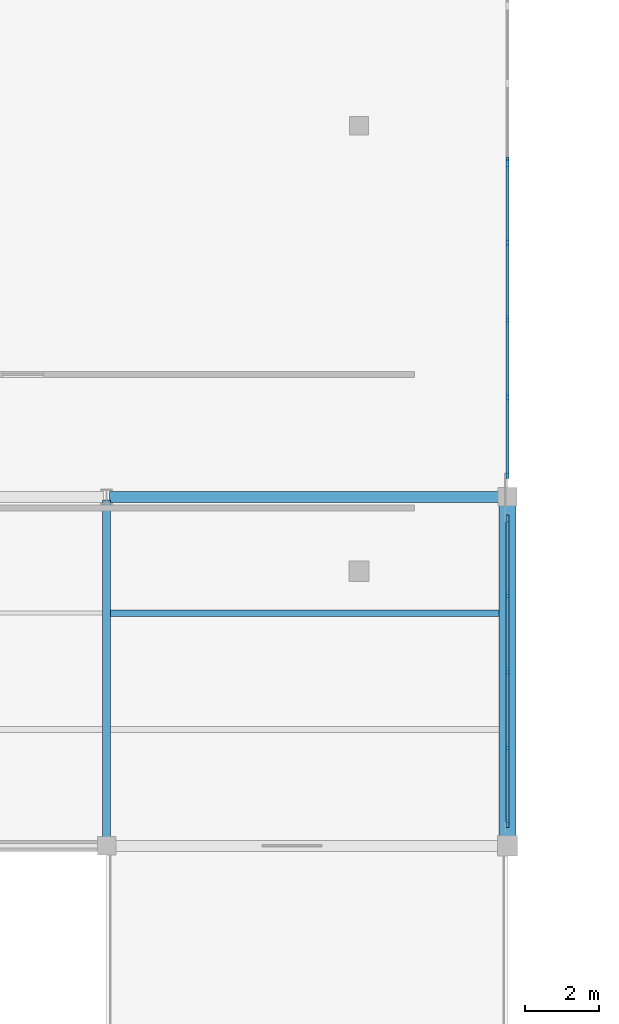
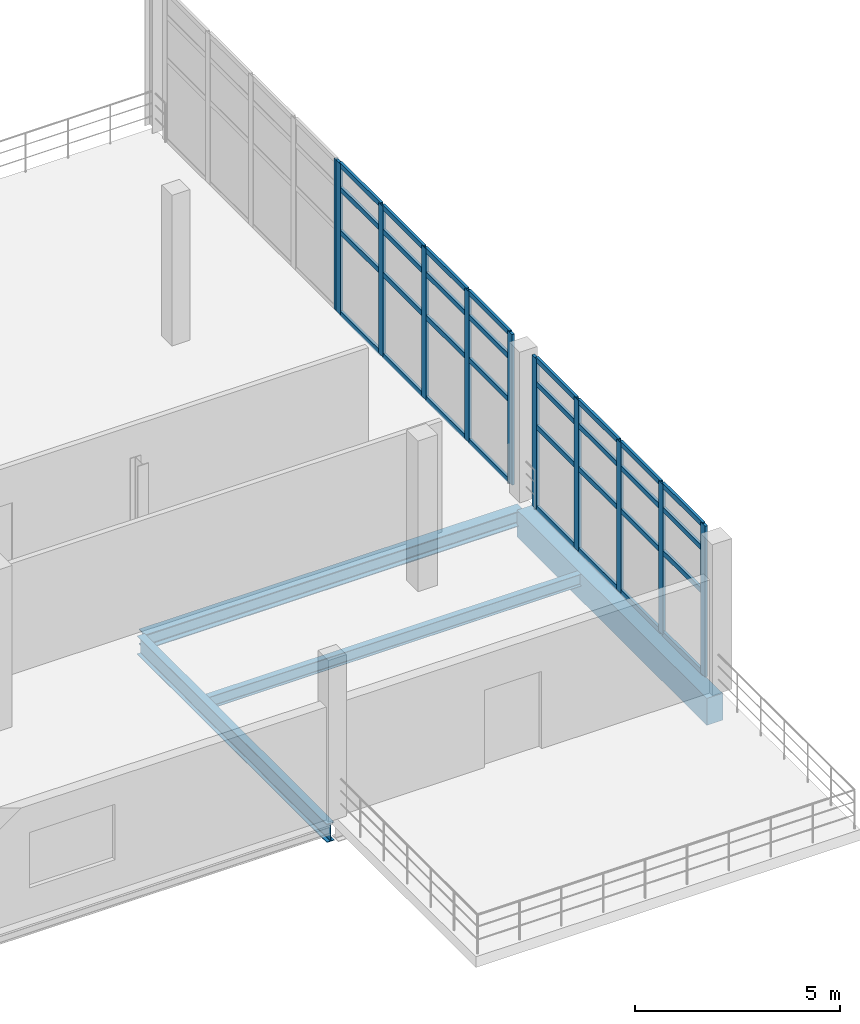
# One storey, part 22 of 52: 43 members, 4 beams, 3 elements without a shape of their own.
"""IFC4 building model written with IfcOpenShell, lengths in metres."""

from ifc_helpers import new_model, si_unit, direction, frame, origin, origin_2d, place, context, subcontext, project, spatial, rectangle, i_section, extrude, material, material_profile, profile_set, type_object, element, aggregate, save


model = new_model("IFC4")

# Units and contexts
model_context = context("Model", 3, precision=1e-05, world=origin(), true_north=direction((0.0, 1.0)))
body_context = subcontext(model_context, "Body", "Model", "MODEL_VIEW")
ifc_project = project(units=[si_unit("LENGTHUNIT", "METRE"), si_unit("AREAUNIT", "SQUARE_METRE"), si_unit("VOLUMEUNIT", "CUBIC_METRE"), si_unit("PLANEANGLEUNIT", "RADIAN"), si_unit("MASSUNIT", "GRAM", prefix="KILO"), si_unit("THERMODYNAMICTEMPERATUREUNIT", "KELVIN"), si_unit("POWERUNIT", "WATT")], contexts=[model_context])

# Site, building, storey
site_placement = place(None, origin())
site = spatial("IfcSite", under=ifc_project, at=site_placement, CompositionType="ELEMENT")
building_placement = place(site_placement, origin())
building = spatial("IfcBuilding", under=site, at=building_placement, Name="Solmara Park Aquatics Centre", CompositionType="ELEMENT")
storey_placement = place(building_placement, frame((0.0, 0.0, 9.60009765625)))
storey = spatial("IfcBuildingStorey", under=building, at=storey_placement, Name="L02", CompositionType="ELEMENT", Elevation=9.60009765625)

# Curtain wall, members
ifc_material_1 = material(Name="Anodised Aluminium Curtain Wall Framing", Category="aluminium")
curtain_wall_type = type_object("IfcCurtainWallType", Name="ARC-CW-SYS06", PredefinedType="USERDEFINED", material=ifc_material_1)
curtain_wall_1_placement = place(storey_placement, origin())
curtain_wall_1 = element("IfcCurtainWall", 1, at=curtain_wall_1_placement, inside=storey, type_object=curtain_wall_type, Name="Curtain Wall CW-127", ObjectType="CURTAIN WALL", PredefinedType="USERDEFINED")
ifc_material_2 = material(Name="Anodised Aluminium Alloy 6063-T6", Category="aluminium")
ifc_material_profile_1 = material_profile(ifc_material_2, rectangle(XDim=0.074951171875, YDim=0.219970703125, at=origin_2d()), Name="ALU MULLION 75x220")
ifc_profile_set_1 = profile_set([ifc_material_profile_1], Name="Anodised Aluminium Alloy 6063-T6")
member_type_1 = type_object("IfcMemberType", Name="ARC-CWM-75x220", PredefinedType="MULLION", material=ifc_profile_set_1)
member_1_placement = place(storey_placement, frame((120.0, 109.199951171875, 0.0), z_axis=(0.0, 0.0, 1.0), x_axis=(1.0, 0.0, 0.0)))
member_1 = element("IfcMember", 2, at=member_1_placement, type_object=member_type_1, Name="CW-127 mullion 1", PredefinedType="MULLION", context=body_context, shape_type="SweptSolid", body=[
    extrude(rectangle(XDim=0.074951171875, YDim=0.219970703125, at=origin_2d()), origin(), (0.0, 0.0, 1.0), 4.47998046875),
])
member_2_placement = place(storey_placement, frame((120.0, 111.25, 0.0), z_axis=(0.0, 0.0, 1.0), x_axis=(1.0, 0.0, 0.0)))
member_2 = element("IfcMember", 3, at=member_2_placement, type_object=member_type_1, Name="CW-127 mullion 2", PredefinedType="MULLION", context=body_context, shape_type="SweptSolid", body=[
    extrude(rectangle(XDim=0.074951171875, YDim=0.219970703125, at=origin_2d()), origin(), (0.0, 0.0, 1.0), 4.47998046875),
])
member_3_placement = place(storey_placement, frame((120.0, 113.300048828125, 0.0), z_axis=(0.0, 0.0, 1.0), x_axis=(1.0, 0.0, 0.0)))
member_3 = element("IfcMember", 4, at=member_3_placement, type_object=member_type_1, Name="CW-127 mullion 3", PredefinedType="MULLION", context=body_context, shape_type="SweptSolid", body=[
    extrude(rectangle(XDim=0.074951171875, YDim=0.219970703125, at=origin_2d()), origin(), (0.0, 0.0, 1.0), 4.47998046875),
])
member_4_placement = place(storey_placement, frame((120.0, 115.35009765625, 0.0), z_axis=(0.0, 0.0, 1.0), x_axis=(1.0, 0.0, 0.0)))
member_4 = element("IfcMember", 5, at=member_4_placement, type_object=member_type_1, Name="CW-127 mullion 4", PredefinedType="MULLION", context=body_context, shape_type="SweptSolid", body=[
    extrude(rectangle(XDim=0.074951171875, YDim=0.219970703125, at=origin_2d()), origin(), (0.0, 0.0, 1.0), 4.47998046875),
])
member_5_placement = place(storey_placement, frame((120.0, 117.39990234375, 0.0), z_axis=(0.0, 0.0, 1.0), x_axis=(1.0, 0.0, 0.0)))
member_5 = element("IfcMember", 6, at=member_5_placement, type_object=member_type_1, Name="CW-127 mullion 5", PredefinedType="MULLION", context=body_context, shape_type="SweptSolid", body=[
    extrude(rectangle(XDim=0.074951171875, YDim=0.219970703125, at=origin_2d()), origin(), (0.0, 0.0, 1.0), 4.47998046875),
])

curtain_wall_2_placement = place(storey_placement, origin())
curtain_wall_2 = element("IfcCurtainWall", 7, at=curtain_wall_2_placement, inside=storey, type_object=curtain_wall_type, Name="Curtain Wall CW-128", ObjectType="CURTAIN WALL", PredefinedType="USERDEFINED")
member_6_placement = place(storey_placement, frame((120.0, 118.60009765625, 0.0), z_axis=(0.0, 0.0, 1.0), x_axis=(1.0, 0.0, 0.0)))
member_6 = element("IfcMember", 8, at=member_6_placement, type_object=member_type_1, Name="CW-128 mullion 1", PredefinedType="MULLION", context=body_context, shape_type="SweptSolid", body=[
    extrude(rectangle(XDim=0.074951171875, YDim=0.219970703125, at=origin_2d()), origin(), (0.0, 0.0, 1.0), 4.47998046875),
])
member_7_placement = place(storey_placement, frame((120.0, 120.68994140625, 0.0), z_axis=(0.0, 0.0, 1.0), x_axis=(1.0, 0.0, 0.0)))
member_7 = element("IfcMember", 9, at=member_7_placement, type_object=member_type_1, Name="CW-128 mullion 2", PredefinedType="MULLION", context=body_context, shape_type="SweptSolid", body=[
    extrude(rectangle(XDim=0.074951171875, YDim=0.219970703125, at=origin_2d()), origin(), (0.0, 0.0, 1.0), 4.47998046875),
])
member_8_placement = place(storey_placement, frame((120.0, 122.780029296875, 0.0), z_axis=(0.0, 0.0, 1.0), x_axis=(1.0, 0.0, 0.0)))
member_8 = element("IfcMember", 10, at=member_8_placement, type_object=member_type_1, Name="CW-128 mullion 3", PredefinedType="MULLION", context=body_context, shape_type="SweptSolid", body=[
    extrude(rectangle(XDim=0.074951171875, YDim=0.219970703125, at=origin_2d()), origin(), (0.0, 0.0, 1.0), 4.47998046875),
])
member_9_placement = place(storey_placement, frame((120.0, 124.8701171875, 0.0), z_axis=(0.0, 0.0, 1.0), x_axis=(1.0, 0.0, 0.0)))
member_9 = element("IfcMember", 11, at=member_9_placement, type_object=member_type_1, Name="CW-128 mullion 4", PredefinedType="MULLION", context=body_context, shape_type="SweptSolid", body=[
    extrude(rectangle(XDim=0.074951171875, YDim=0.219970703125, at=origin_2d()), origin(), (0.0, 0.0, 1.0), 4.47998046875),
])
member_10_placement = place(storey_placement, frame((120.0, 126.9599609375, 0.0), z_axis=(0.0, 0.0, 1.0), x_axis=(1.0, 0.0, 0.0)))
member_10 = element("IfcMember", 12, at=member_10_placement, type_object=member_type_1, Name="CW-128 mullion 5", PredefinedType="MULLION", context=body_context, shape_type="SweptSolid", body=[
    extrude(rectangle(XDim=0.074951171875, YDim=0.219970703125, at=origin_2d()), origin(), (0.0, 0.0, 1.0), 4.47998046875),
])

# Curtain wall, member
curtain_wall_3_placement = place(storey_placement, origin())
curtain_wall_3 = element("IfcCurtainWall", 13, at=curtain_wall_3_placement, inside=storey, type_object=curtain_wall_type, Name="Curtain Wall CW-129", ObjectType="CURTAIN WALL", PredefinedType="USERDEFINED")
member_11_placement = place(storey_placement, frame((120.0, 127.0400390625, 0.0), z_axis=(0.0, 0.0, 1.0), x_axis=(1.0, 0.0, 0.0)))
member_11 = element("IfcMember", 14, at=member_11_placement, type_object=member_type_1, Name="CW-129 mullion 1", PredefinedType="MULLION", context=body_context, shape_type="SweptSolid", body=[
    extrude(rectangle(XDim=0.074951171875, YDim=0.219970703125, at=origin_2d()), origin(), (0.0, 0.0, 1.0), 4.47998046875),
])
aggregate(curtain_wall_3, [member_11])

# Member
ifc_material_profile_2 = material_profile(ifc_material_2, rectangle(XDim=0.074951171875, YDim=0.14990234375, at=origin_2d()), Name="ALU TRANSOM 75x150")
ifc_profile_set_2 = profile_set([ifc_material_profile_2], Name="Anodised Aluminium Alloy 6063-T6")
member_type_2 = type_object("IfcMemberType", Name="ARC-CWT-75x150", PredefinedType="USERDEFINED", material=ifc_profile_set_2)
member_12_placement = place(storey_placement, frame((120.0, 109.219970703125, 0.039794921875), z_axis=(0.0, 1.0, 0.0), x_axis=(-1.0, 0.0, 0.0)))
member_12 = element("IfcMember", 15, at=member_12_placement, type_object=member_type_2, Name="CW-127 transom 1", ObjectType="TRANSOM", PredefinedType="USERDEFINED", context=body_context, shape_type="SweptSolid", body=[
    extrude(rectangle(XDim=0.074951171875, YDim=0.14990234375, at=origin_2d()), origin(), (0.0, 0.0, 1.0), 1.969970703125),
])

member_13_placement = place(storey_placement, frame((120.0, 109.219970703125, 2.449951171875), z_axis=(0.0, 1.0, 0.0), x_axis=(-1.0, 0.0, 0.0)))
member_13 = element("IfcMember", 16, at=member_13_placement, type_object=member_type_2, Name="CW-127 transom 2", ObjectType="TRANSOM", PredefinedType="USERDEFINED", context=body_context, shape_type="SweptSolid", body=[
    extrude(rectangle(XDim=0.074951171875, YDim=0.14990234375, at=origin_2d()), origin(), (0.0, 0.0, 1.0), 1.969970703125),
])

member_14_placement = place(storey_placement, frame((120.0, 109.219970703125, 3.72998046875), z_axis=(0.0, 1.0, 0.0), x_axis=(-1.0, 0.0, 0.0)))
member_14 = element("IfcMember", 17, at=member_14_placement, type_object=member_type_2, Name="CW-127 transom 3", ObjectType="TRANSOM", PredefinedType="USERDEFINED", context=body_context, shape_type="SweptSolid", body=[
    extrude(rectangle(XDim=0.074951171875, YDim=0.14990234375, at=origin_2d()), origin(), (0.0, 0.0, 1.0), 1.969970703125),
])

member_15_placement = place(storey_placement, frame((120.0, 109.219970703125, 4.43994140625), z_axis=(0.0, 1.0, 0.0), x_axis=(-1.0, 0.0, 0.0)))
member_15 = element("IfcMember", 18, at=member_15_placement, type_object=member_type_2, Name="CW-127 transom 4", ObjectType="TRANSOM", PredefinedType="USERDEFINED", context=body_context, shape_type="SweptSolid", body=[
    extrude(rectangle(XDim=0.074951171875, YDim=0.14990234375, at=origin_2d()), origin(), (0.0, 0.0, 1.0), 1.969970703125),
])

member_16_placement = place(storey_placement, frame((120.0, 111.27001953125, 0.039794921875), z_axis=(0.0, 1.0, 0.0), x_axis=(-1.0, 0.0, 0.0)))
member_16 = element("IfcMember", 19, at=member_16_placement, type_object=member_type_2, Name="CW-127 transom 5", ObjectType="TRANSOM", PredefinedType="USERDEFINED", context=body_context, shape_type="SweptSolid", body=[
    extrude(rectangle(XDim=0.074951171875, YDim=0.14990234375, at=origin_2d()), origin(), (0.0, 0.0, 1.0), 1.969970703125),
])

member_17_placement = place(storey_placement, frame((120.0, 111.27001953125, 2.449951171875), z_axis=(0.0, 1.0, 0.0), x_axis=(-1.0, 0.0, 0.0)))
member_17 = element("IfcMember", 20, at=member_17_placement, type_object=member_type_2, Name="CW-127 transom 6", ObjectType="TRANSOM", PredefinedType="USERDEFINED", context=body_context, shape_type="SweptSolid", body=[
    extrude(rectangle(XDim=0.074951171875, YDim=0.14990234375, at=origin_2d()), origin(), (0.0, 0.0, 1.0), 1.969970703125),
])

member_18_placement = place(storey_placement, frame((120.0, 111.27001953125, 3.72998046875), z_axis=(0.0, 1.0, 0.0), x_axis=(-1.0, 0.0, 0.0)))
member_18 = element("IfcMember", 21, at=member_18_placement, type_object=member_type_2, Name="CW-127 transom 7", ObjectType="TRANSOM", PredefinedType="USERDEFINED", context=body_context, shape_type="SweptSolid", body=[
    extrude(rectangle(XDim=0.074951171875, YDim=0.14990234375, at=origin_2d()), origin(), (0.0, 0.0, 1.0), 1.969970703125),
])

member_19_placement = place(storey_placement, frame((120.0, 111.27001953125, 4.43994140625), z_axis=(0.0, 1.0, 0.0), x_axis=(-1.0, 0.0, 0.0)))
member_19 = element("IfcMember", 22, at=member_19_placement, type_object=member_type_2, Name="CW-127 transom 8", ObjectType="TRANSOM", PredefinedType="USERDEFINED", context=body_context, shape_type="SweptSolid", body=[
    extrude(rectangle(XDim=0.074951171875, YDim=0.14990234375, at=origin_2d()), origin(), (0.0, 0.0, 1.0), 1.969970703125),
])

member_20_placement = place(storey_placement, frame((120.0, 113.320068359375, 0.039794921875), z_axis=(0.0, 1.0, 0.0), x_axis=(-1.0, 0.0, 0.0)))
member_20 = element("IfcMember", 23, at=member_20_placement, type_object=member_type_2, Name="CW-127 transom 9", ObjectType="TRANSOM", PredefinedType="USERDEFINED", context=body_context, shape_type="SweptSolid", body=[
    extrude(rectangle(XDim=0.074951171875, YDim=0.14990234375, at=origin_2d()), origin(), (0.0, 0.0, 1.0), 1.969970703125),
])

member_21_placement = place(storey_placement, frame((120.0, 113.320068359375, 2.449951171875), z_axis=(0.0, 1.0, 0.0), x_axis=(-1.0, 0.0, 0.0)))
member_21 = element("IfcMember", 24, at=member_21_placement, type_object=member_type_2, Name="CW-127 transom 10", ObjectType="TRANSOM", PredefinedType="USERDEFINED", context=body_context, shape_type="SweptSolid", body=[
    extrude(rectangle(XDim=0.074951171875, YDim=0.14990234375, at=origin_2d()), origin(), (0.0, 0.0, 1.0), 1.969970703125),
])

member_22_placement = place(storey_placement, frame((120.0, 113.320068359375, 3.72998046875), z_axis=(0.0, 1.0, 0.0), x_axis=(-1.0, 0.0, 0.0)))
member_22 = element("IfcMember", 25, at=member_22_placement, type_object=member_type_2, Name="CW-127 transom 11", ObjectType="TRANSOM", PredefinedType="USERDEFINED", context=body_context, shape_type="SweptSolid", body=[
    extrude(rectangle(XDim=0.074951171875, YDim=0.14990234375, at=origin_2d()), origin(), (0.0, 0.0, 1.0), 1.969970703125),
])

member_23_placement = place(storey_placement, frame((120.0, 113.320068359375, 4.43994140625), z_axis=(0.0, 1.0, 0.0), x_axis=(-1.0, 0.0, 0.0)))
member_23 = element("IfcMember", 26, at=member_23_placement, type_object=member_type_2, Name="CW-127 transom 12", ObjectType="TRANSOM", PredefinedType="USERDEFINED", context=body_context, shape_type="SweptSolid", body=[
    extrude(rectangle(XDim=0.074951171875, YDim=0.14990234375, at=origin_2d()), origin(), (0.0, 0.0, 1.0), 1.969970703125),
])

member_24_placement = place(storey_placement, frame((120.0, 115.3701171875, 0.039794921875), z_axis=(0.0, 1.0, 0.0), x_axis=(-1.0, 0.0, 0.0)))
member_24 = element("IfcMember", 27, at=member_24_placement, type_object=member_type_2, Name="CW-127 transom 13", ObjectType="TRANSOM", PredefinedType="USERDEFINED", context=body_context, shape_type="SweptSolid", body=[
    extrude(rectangle(XDim=0.074951171875, YDim=0.14990234375, at=origin_2d()), origin(), (0.0, 0.0, 1.0), 1.969970703125),
])

member_25_placement = place(storey_placement, frame((120.0, 115.3701171875, 2.449951171875), z_axis=(0.0, 1.0, 0.0), x_axis=(-1.0, 0.0, 0.0)))
member_25 = element("IfcMember", 28, at=member_25_placement, type_object=member_type_2, Name="CW-127 transom 14", ObjectType="TRANSOM", PredefinedType="USERDEFINED", context=body_context, shape_type="SweptSolid", body=[
    extrude(rectangle(XDim=0.074951171875, YDim=0.14990234375, at=origin_2d()), origin(), (0.0, 0.0, 1.0), 1.969970703125),
])

member_26_placement = place(storey_placement, frame((120.0, 115.3701171875, 3.72998046875), z_axis=(0.0, 1.0, 0.0), x_axis=(-1.0, 0.0, 0.0)))
member_26 = element("IfcMember", 29, at=member_26_placement, type_object=member_type_2, Name="CW-127 transom 15", ObjectType="TRANSOM", PredefinedType="USERDEFINED", context=body_context, shape_type="SweptSolid", body=[
    extrude(rectangle(XDim=0.074951171875, YDim=0.14990234375, at=origin_2d()), origin(), (0.0, 0.0, 1.0), 1.969970703125),
])

member_27_placement = place(storey_placement, frame((120.0, 115.3701171875, 4.43994140625), z_axis=(0.0, 1.0, 0.0), x_axis=(-1.0, 0.0, 0.0)))
member_27 = element("IfcMember", 30, at=member_27_placement, type_object=member_type_2, Name="CW-127 transom 16", ObjectType="TRANSOM", PredefinedType="USERDEFINED", context=body_context, shape_type="SweptSolid", body=[
    extrude(rectangle(XDim=0.074951171875, YDim=0.14990234375, at=origin_2d()), origin(), (0.0, 0.0, 1.0), 1.969970703125),
])

aggregate(curtain_wall_1, [member_1, member_2, member_3, member_4, member_5, member_12, member_13, member_14, member_15, member_16, member_17, member_18, member_19, member_20, member_21, member_22, member_23, member_24, member_25, member_26, member_27])

member_28_placement = place(storey_placement, frame((120.0, 118.6201171875, 0.039794921875), z_axis=(0.0, 1.0, 0.0), x_axis=(-1.0, 0.0, 0.0)))
member_28 = element("IfcMember", 31, at=member_28_placement, type_object=member_type_2, Name="CW-128 transom 1", ObjectType="TRANSOM", PredefinedType="USERDEFINED", context=body_context, shape_type="SweptSolid", body=[
    extrude(rectangle(XDim=0.074951171875, YDim=0.14990234375, at=origin_2d()), origin(), (0.0, 0.0, 1.0), 2.009765625),
])

member_29_placement = place(storey_placement, frame((120.0, 118.6201171875, 2.449951171875), z_axis=(0.0, 1.0, 0.0), x_axis=(-1.0, 0.0, 0.0)))
member_29 = element("IfcMember", 32, at=member_29_placement, type_object=member_type_2, Name="CW-128 transom 2", ObjectType="TRANSOM", PredefinedType="USERDEFINED", context=body_context, shape_type="SweptSolid", body=[
    extrude(rectangle(XDim=0.074951171875, YDim=0.14990234375, at=origin_2d()), origin(), (0.0, 0.0, 1.0), 2.009765625),
])

member_30_placement = place(storey_placement, frame((120.0, 118.6201171875, 3.72998046875), z_axis=(0.0, 1.0, 0.0), x_axis=(-1.0, 0.0, 0.0)))
member_30 = element("IfcMember", 33, at=member_30_placement, type_object=member_type_2, Name="CW-128 transom 3", ObjectType="TRANSOM", PredefinedType="USERDEFINED", context=body_context, shape_type="SweptSolid", body=[
    extrude(rectangle(XDim=0.074951171875, YDim=0.14990234375, at=origin_2d()), origin(), (0.0, 0.0, 1.0), 2.009765625),
])

member_31_placement = place(storey_placement, frame((120.0, 118.6201171875, 4.43994140625), z_axis=(0.0, 1.0, 0.0), x_axis=(-1.0, 0.0, 0.0)))
member_31 = element("IfcMember", 34, at=member_31_placement, type_object=member_type_2, Name="CW-128 transom 4", ObjectType="TRANSOM", PredefinedType="USERDEFINED", context=body_context, shape_type="SweptSolid", body=[
    extrude(rectangle(XDim=0.074951171875, YDim=0.14990234375, at=origin_2d()), origin(), (0.0, 0.0, 1.0), 2.009765625),
])

member_32_placement = place(storey_placement, frame((120.0, 120.7099609375, 0.039794921875), z_axis=(0.0, 1.0, 0.0), x_axis=(-1.0, 0.0, 0.0)))
member_32 = element("IfcMember", 35, at=member_32_placement, type_object=member_type_2, Name="CW-128 transom 5", ObjectType="TRANSOM", PredefinedType="USERDEFINED", context=body_context, shape_type="SweptSolid", body=[
    extrude(rectangle(XDim=0.074951171875, YDim=0.14990234375, at=origin_2d()), origin(), (0.0, 0.0, 1.0), 2.010009765625),
])

member_33_placement = place(storey_placement, frame((120.0, 120.7099609375, 2.449951171875), z_axis=(0.0, 1.0, 0.0), x_axis=(-1.0, 0.0, 0.0)))
member_33 = element("IfcMember", 36, at=member_33_placement, type_object=member_type_2, Name="CW-128 transom 6", ObjectType="TRANSOM", PredefinedType="USERDEFINED", context=body_context, shape_type="SweptSolid", body=[
    extrude(rectangle(XDim=0.074951171875, YDim=0.14990234375, at=origin_2d()), origin(), (0.0, 0.0, 1.0), 2.010009765625),
])

member_34_placement = place(storey_placement, frame((120.0, 120.7099609375, 3.72998046875), z_axis=(0.0, 1.0, 0.0), x_axis=(-1.0, 0.0, 0.0)))
member_34 = element("IfcMember", 37, at=member_34_placement, type_object=member_type_2, Name="CW-128 transom 7", ObjectType="TRANSOM", PredefinedType="USERDEFINED", context=body_context, shape_type="SweptSolid", body=[
    extrude(rectangle(XDim=0.074951171875, YDim=0.14990234375, at=origin_2d()), origin(), (0.0, 0.0, 1.0), 2.010009765625),
])

member_35_placement = place(storey_placement, frame((120.0, 120.7099609375, 4.43994140625), z_axis=(0.0, 1.0, 0.0), x_axis=(-1.0, 0.0, 0.0)))
member_35 = element("IfcMember", 38, at=member_35_placement, type_object=member_type_2, Name="CW-128 transom 8", ObjectType="TRANSOM", PredefinedType="USERDEFINED", context=body_context, shape_type="SweptSolid", body=[
    extrude(rectangle(XDim=0.074951171875, YDim=0.14990234375, at=origin_2d()), origin(), (0.0, 0.0, 1.0), 2.010009765625),
])

member_36_placement = place(storey_placement, frame((120.0, 122.800048828125, 0.039794921875), z_axis=(0.0, 1.0, 0.0), x_axis=(-1.0, 0.0, 0.0)))
member_36 = element("IfcMember", 39, at=member_36_placement, type_object=member_type_2, Name="CW-128 transom 9", ObjectType="TRANSOM", PredefinedType="USERDEFINED", context=body_context, shape_type="SweptSolid", body=[
    extrude(rectangle(XDim=0.074951171875, YDim=0.14990234375, at=origin_2d()), origin(), (0.0, 0.0, 1.0), 2.010009765625),
])

member_37_placement = place(storey_placement, frame((120.0, 122.800048828125, 2.449951171875), z_axis=(0.0, 1.0, 0.0), x_axis=(-1.0, 0.0, 0.0)))
member_37 = element("IfcMember", 40, at=member_37_placement, type_object=member_type_2, Name="CW-128 transom 10", ObjectType="TRANSOM", PredefinedType="USERDEFINED", context=body_context, shape_type="SweptSolid", body=[
    extrude(rectangle(XDim=0.074951171875, YDim=0.14990234375, at=origin_2d()), origin(), (0.0, 0.0, 1.0), 2.010009765625),
])

member_38_placement = place(storey_placement, frame((120.0, 122.800048828125, 3.72998046875), z_axis=(0.0, 1.0, 0.0), x_axis=(-1.0, 0.0, 0.0)))
member_38 = element("IfcMember", 41, at=member_38_placement, type_object=member_type_2, Name="CW-128 transom 11", ObjectType="TRANSOM", PredefinedType="USERDEFINED", context=body_context, shape_type="SweptSolid", body=[
    extrude(rectangle(XDim=0.074951171875, YDim=0.14990234375, at=origin_2d()), origin(), (0.0, 0.0, 1.0), 2.010009765625),
])

member_39_placement = place(storey_placement, frame((120.0, 122.800048828125, 4.43994140625), z_axis=(0.0, 1.0, 0.0), x_axis=(-1.0, 0.0, 0.0)))
member_39 = element("IfcMember", 42, at=member_39_placement, type_object=member_type_2, Name="CW-128 transom 12", ObjectType="TRANSOM", PredefinedType="USERDEFINED", context=body_context, shape_type="SweptSolid", body=[
    extrude(rectangle(XDim=0.074951171875, YDim=0.14990234375, at=origin_2d()), origin(), (0.0, 0.0, 1.0), 2.010009765625),
])

member_40_placement = place(storey_placement, frame((120.0, 124.889892578125, 0.039794921875), z_axis=(0.0, 1.0, 0.0), x_axis=(-1.0, 0.0, 0.0)))
member_40 = element("IfcMember", 43, at=member_40_placement, type_object=member_type_2, Name="CW-128 transom 13", ObjectType="TRANSOM", PredefinedType="USERDEFINED", context=body_context, shape_type="SweptSolid", body=[
    extrude(rectangle(XDim=0.074951171875, YDim=0.14990234375, at=origin_2d()), origin(), (0.0, 0.0, 1.0), 2.010009765625),
])

member_41_placement = place(storey_placement, frame((120.0, 124.889892578125, 2.449951171875), z_axis=(0.0, 1.0, 0.0), x_axis=(-1.0, 0.0, 0.0)))
member_41 = element("IfcMember", 44, at=member_41_placement, type_object=member_type_2, Name="CW-128 transom 14", ObjectType="TRANSOM", PredefinedType="USERDEFINED", context=body_context, shape_type="SweptSolid", body=[
    extrude(rectangle(XDim=0.074951171875, YDim=0.14990234375, at=origin_2d()), origin(), (0.0, 0.0, 1.0), 2.010009765625),
])

member_42_placement = place(storey_placement, frame((120.0, 124.889892578125, 3.72998046875), z_axis=(0.0, 1.0, 0.0), x_axis=(-1.0, 0.0, 0.0)))
member_42 = element("IfcMember", 45, at=member_42_placement, type_object=member_type_2, Name="CW-128 transom 15", ObjectType="TRANSOM", PredefinedType="USERDEFINED", context=body_context, shape_type="SweptSolid", body=[
    extrude(rectangle(XDim=0.074951171875, YDim=0.14990234375, at=origin_2d()), origin(), (0.0, 0.0, 1.0), 2.010009765625),
])

member_43_placement = place(storey_placement, frame((120.0, 124.889892578125, 4.43994140625), z_axis=(0.0, 1.0, 0.0), x_axis=(-1.0, 0.0, 0.0)))
member_43 = element("IfcMember", 46, at=member_43_placement, type_object=member_type_2, Name="CW-128 transom 16", ObjectType="TRANSOM", PredefinedType="USERDEFINED", context=body_context, shape_type="SweptSolid", body=[
    extrude(rectangle(XDim=0.074951171875, YDim=0.14990234375, at=origin_2d()), origin(), (0.0, 0.0, 1.0), 2.010009765625),
])

aggregate(curtain_wall_2, [member_6, member_7, member_8, member_9, member_10, member_28, member_29, member_30, member_31, member_32, member_33, member_34, member_35, member_36, member_37, member_38, member_39, member_40, member_41, member_42, member_43])

# Beams
ifc_material_3 = material(Name="Structural Steel S355", Category="steel")
ifc_material_profile_3 = material_profile(ifc_material_3, i_section(OverallWidth=0.300048828125, OverallDepth=0.449951171875, WebThickness=0.013916015625, FlangeThickness=0.02587890625, FilletRadius=0.027099609375, at=origin_2d()), Name="HEB 450")
ifc_profile_set_3 = profile_set([ifc_material_profile_3], Name="Structural Steel S355")
beam_type_1 = type_object("IfcBeamType", Name="STR-BM-HEB450", PredefinedType="BEAM", material=ifc_profile_set_3)
beam_1_placement = place(storey_placement, frame((109.280029296875, 118.0, -0.545166015625), z_axis=(1.0, 0.0, 0.0), x_axis=(0.0, 1.0, 0.0)))
element("IfcBeam", 47, at=beam_1_placement, inside=storey, type_object=beam_type_1, Name="Girder BM-L02-0397", PredefinedType="BEAM", context=body_context, shape_type="SweptSolid", body=[
    extrude(i_section(OverallWidth=0.300048828125, OverallDepth=0.449951171875, WebThickness=0.013916015625, FlangeThickness=0.02587890625, FilletRadius=0.027099609375, at=origin_2d()), origin(), (0.0, 0.0, 1.0), 10.639892578125),
])
ifc_material_profile_4 = material_profile(ifc_material_3, i_section(OverallWidth=0.2099609375, OverallDepth=0.550048828125, WebThickness=0.010986328125, FlangeThickness=0.01708984375, FilletRadius=0.02392578125, at=origin_2d()), Name="IPE 550")
ifc_profile_set_4 = profile_set([ifc_material_profile_4], Name="Structural Steel S355")
beam_type_2 = type_object("IfcBeamType", Name="STR-BM-IPE550", PredefinedType="BEAM", material=ifc_profile_set_4)
beam_2_placement = place(storey_placement, frame((109.199951171875, 108.679931640625, -0.59521484375), z_axis=(0.0, 1.0, 0.0), x_axis=(-1.0, 0.0, 0.0)))
element("IfcBeam", 48, at=beam_2_placement, inside=storey, type_object=beam_type_2, Name="Girder BM-L02-0433", PredefinedType="BEAM", context=body_context, shape_type="SweptSolid", body=[
    extrude(i_section(OverallWidth=0.2099609375, OverallDepth=0.550048828125, WebThickness=0.010986328125, FlangeThickness=0.01708984375, FilletRadius=0.02392578125, at=origin_2d()), origin(), (0.0, 0.0, 1.0), 9.239990234375),
])
ifc_material_4 = material(Name="Concrete C40/50", Category="concrete")
ifc_material_profile_5 = material_profile(ifc_material_4, rectangle(XDim=0.449951171875, YDim=0.800048828125, at=origin_2d()), Name="RC 450x800")
ifc_profile_set_5 = profile_set([ifc_material_profile_5], Name="Concrete C40/50")
beam_type_3 = type_object("IfcBeamType", Name="STR-BM-RC450x800", PredefinedType="BEAM", material=ifc_profile_set_5)
beam_3_placement = place(storey_placement, frame((120.0, 108.679931640625, -0.72021484375), z_axis=(0.0, 1.0, 0.0), x_axis=(-1.0, 0.0, 0.0)))
element("IfcBeam", 49, at=beam_3_placement, inside=storey, type_object=beam_type_3, Name="Girder BM-L02-0434", PredefinedType="BEAM", context=body_context, shape_type="SweptSolid", body=[
    extrude(rectangle(XDim=0.449951171875, YDim=0.800048828125, at=origin_2d()), origin(), (0.0, 0.0, 1.0), 9.239990234375),
])
ifc_material_profile_6 = material_profile(ifc_material_3, i_section(OverallWidth=0.169921875, OverallDepth=0.360107421875, WebThickness=0.008056640625, FlangeThickness=0.0126953125, FilletRadius=0.01806640625, at=origin_2d()), Name="IPE 360")
ifc_profile_set_6 = profile_set([ifc_material_profile_6], Name="Structural Steel S355")
beam_type_4 = type_object("IfcBeamType", Name="STR-JST-IPE360", PredefinedType="JOIST", material=ifc_profile_set_6)
beam_4_placement = place(storey_placement, frame((109.304931640625, 114.86669921875, -0.5), z_axis=(1.0, 0.0, 0.0), x_axis=(0.0, 1.0, 0.0)))
element("IfcBeam", 50, at=beam_4_placement, inside=storey, type_object=beam_type_4, Name="Floor Joist JST-L02-0241", PredefinedType="JOIST", context=body_context, shape_type="SweptSolid", body=[
    extrude(i_section(OverallWidth=0.169921875, OverallDepth=0.360107421875, WebThickness=0.008056640625, FlangeThickness=0.0126953125, FilletRadius=0.01806640625, at=origin_2d()), origin(), (0.0, 0.0, 1.0), 10.469970703125),
])

save(model, "model.ifc")
